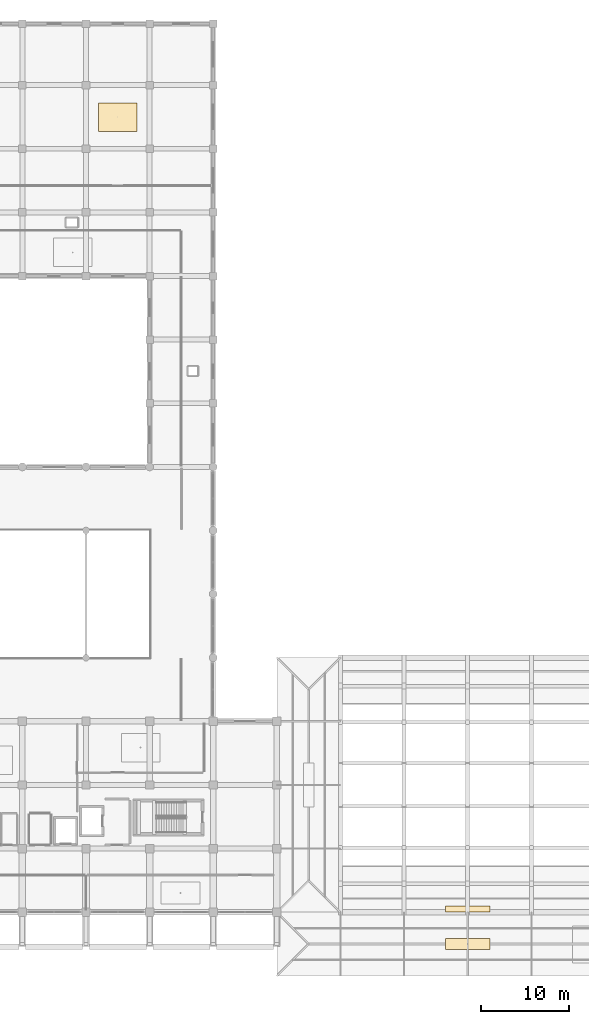
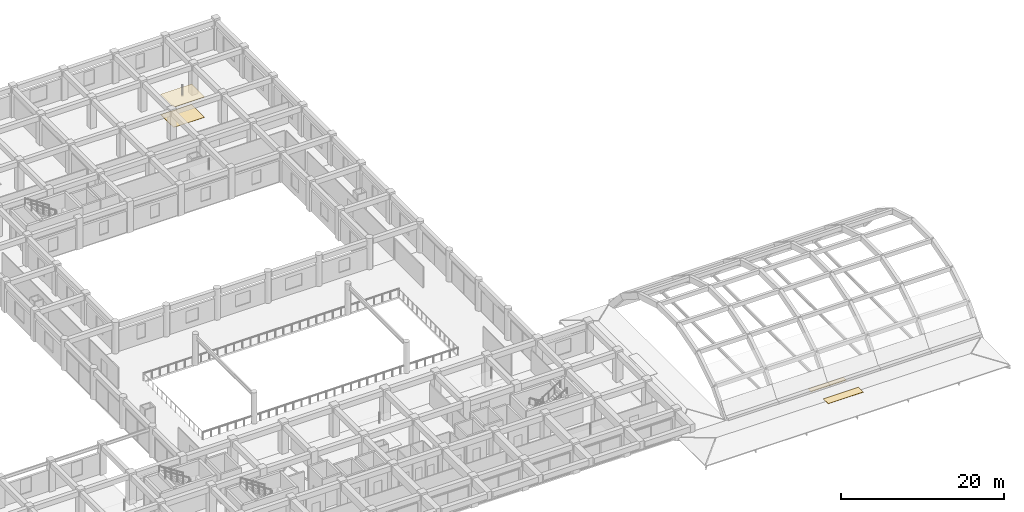
# One storey, part 54 of 54: 4 coverings, 2 elements without a shape of their own.
"""IFC4 building model written with IfcOpenShell, lengths in metres."""

from ifc_helpers import new_model, si_unit, direction, frame, origin, origin_2d, place, context, subcontext, project, spatial, rectangle, extrude, material, layer, layer_set, type_object, element, aggregate, save


model = new_model("IFC4")

# Units and contexts
model_context = context("Model", 3, precision=1e-05, world=origin(), true_north=direction((0.0, 1.0)))
body_context = subcontext(model_context, "Body", "Model", "MODEL_VIEW")
ifc_project = project(units=[si_unit("LENGTHUNIT", "METRE"), si_unit("AREAUNIT", "SQUARE_METRE"), si_unit("VOLUMEUNIT", "CUBIC_METRE"), si_unit("PLANEANGLEUNIT", "RADIAN"), si_unit("MASSUNIT", "GRAM", prefix="KILO")], contexts=[model_context])

# Site, building, storey
site_placement = place(None, origin())
site = spatial("IfcSite", under=ifc_project, at=site_placement, CompositionType="ELEMENT")
building_placement = place(site_placement, origin())
building = spatial("IfcBuilding", under=site, at=building_placement, Name="Kazehaya Institute of Natural Sciences", CompositionType="ELEMENT")
storey_placement = place(building_placement, frame((0.0, 0.0, 10.43994140625)))
storey = spatial("IfcBuildingStorey", under=building, at=storey_placement, Name="L02", CompositionType="ELEMENT", Elevation=10.43994140625)

# Coverings
ifc_material_1 = material(Name="Mineral-fibre acoustic ceiling tile")
ifc_layer_1 = layer(ifc_material_1, 0.02490234375, Name="Mineral-fibre acoustic ceiling tile")
ifc_layer_set_1 = layer_set([ifc_layer_1], Name="Mineral-fibre acoustic ceiling tile")
covering_type_1 = type_object("IfcCoveringType", Name="COV-CEIL-AC", PredefinedType="CEILING", material=ifc_layer_set_1)
covering_1_placement = place(storey_placement, frame((101.39208984375, 103.973388671875, 3.027587890625), z_axis=(0.0, 0.0, 1.0), x_axis=(1.0, 0.0, 0.0)))
element("IfcCovering", 1, at=covering_1_placement, inside=storey, type_object=covering_type_1, Name="L02 Climate Simulation Laboratory ceiling 30", PredefinedType="CEILING", context=body_context, shape_type="SweptSolid", body=[
    extrude(rectangle(XDim=4.39990234375, YDim=3.199951171875, at=origin_2d()), origin(), (0.0, 0.0, 1.0), 0.02490234375),
])
ifc_material_2 = material(Name="Polished Sawara stone terrazzo flooring", Category="masonry")
ifc_layer_2 = layer(ifc_material_2, 0.02001953125, Name="Polished Sawara stone terrazzo flooring", Category="masonry")
ifc_layer_set_2 = layer_set([ifc_layer_2], Name="Polished Sawara stone terrazzo flooring")
covering_type_2 = type_object("IfcCoveringType", Name="COV-FLR-TRZ", PredefinedType="FLOORING", material=ifc_layer_set_2)
covering_2_placement = place(storey_placement, frame((101.39208984375, 103.973388671875, 0.0), z_axis=(0.0, 0.0, 1.0), x_axis=(1.0, 0.0, 0.0)))
element("IfcCovering", 2, at=covering_2_placement, inside=storey, type_object=covering_type_2, Name="L02 Climate Simulation Laboratory finish flooring 30", PredefinedType="FLOORING", context=body_context, shape_type="SweptSolid", body=[
    extrude(rectangle(XDim=4.39990234375, YDim=3.199951171875, at=origin_2d()), origin(), (0.0, 0.0, 1.0), 0.02001953125),
])

# Roof, covering
ifc_material_3 = material(Name="Copper standing-seam roofing", Category="copper")
roof_type_1 = type_object("IfcRoofType", Name="RF-HIPPED", PredefinedType="HIP_ROOF", material=ifc_material_3)
roof_1_placement = place(storey_placement, origin())
roof_1 = element("IfcRoof", 3, at=roof_1_placement, inside=storey, type_object=roof_type_1, Name="Hipped copper roof ROOF-VOL1-FOYER", PredefinedType="HIP_ROOF")
ifc_layer_3 = layer(ifc_material_3, 0.0400390625, Name="Copper standing-seam roofing", Category="copper")
ifc_layer_set_3 = layer_set([ifc_layer_3], Name="Copper standing-seam roofing")
covering_type_3 = type_object("IfcCoveringType", Name="COV-ROOF-CU", PredefinedType="ROOFING", material=ifc_layer_set_3)
covering_3_placement = place(storey_placement, frame((141.0, 10.39990234375, 0.97802734375), z_axis=(0.0, 0.0, 1.0), x_axis=(1.0, 0.0, 0.0)))
covering_3 = element("IfcCovering", 4, at=covering_3_placement, type_object=covering_type_3, Name="L02 standing-seam roof covering 4", PredefinedType="ROOFING", context=body_context, shape_type="SweptSolid", body=[
    extrude(rectangle(XDim=5.0, YDim=1.199951171875, at=origin_2d()), origin(), (0.0, 0.0, 1.0), 0.0400390625),
])
aggregate(roof_1, [covering_3])

ifc_material_4 = material(Name="Concrete Fc36", Category="concrete")
roof_type_2 = type_object("IfcRoofType", Name="RF-BARREL", PredefinedType="BARREL_ROOF", material=ifc_material_4)
roof_2_placement = place(storey_placement, origin())
roof_2 = element("IfcRoof", 5, at=roof_2_placement, inside=storey, type_object=roof_type_2, Name="Cylindrical barrel-vault shell roof SH-VOL1", PredefinedType="BARREL_ROOF")
covering_4_placement = place(storey_placement, frame((141.0, 14.35009765625, 0.219970703125), z_axis=(0.0, 0.0, 1.0), x_axis=(1.0, 0.0, 0.0)))
covering_4 = element("IfcCovering", 6, at=covering_4_placement, type_object=covering_type_3, Name="L02 barrel-vault springing eave copper flashing 1", PredefinedType="ROOFING", context=body_context, shape_type="SweptSolid", body=[
    extrude(rectangle(XDim=5.0, YDim=0.699951171875, at=origin_2d()), origin(), (0.0, 0.0, 1.0), 0.0400390625),
])
aggregate(roof_2, [covering_4])

save(model, "model.ifc")
